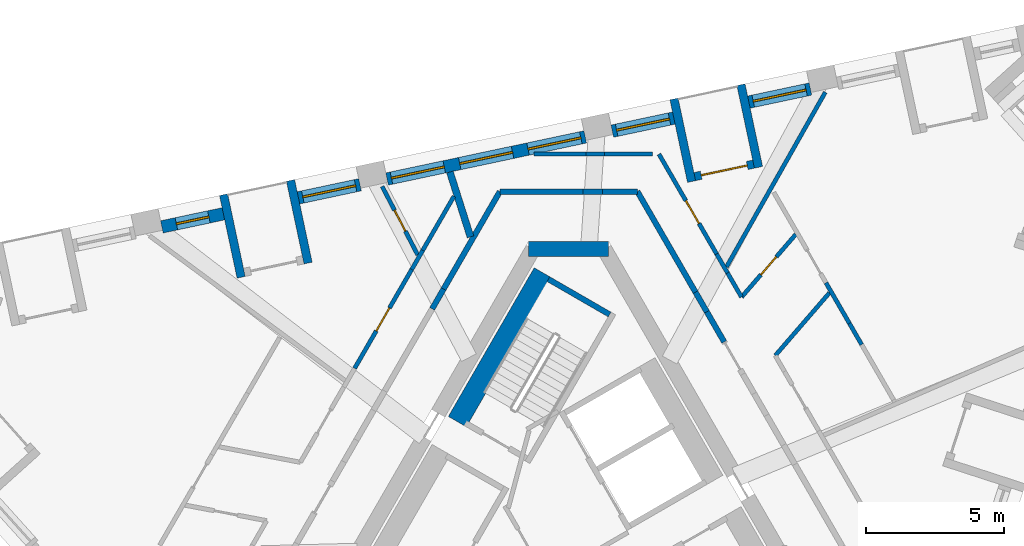
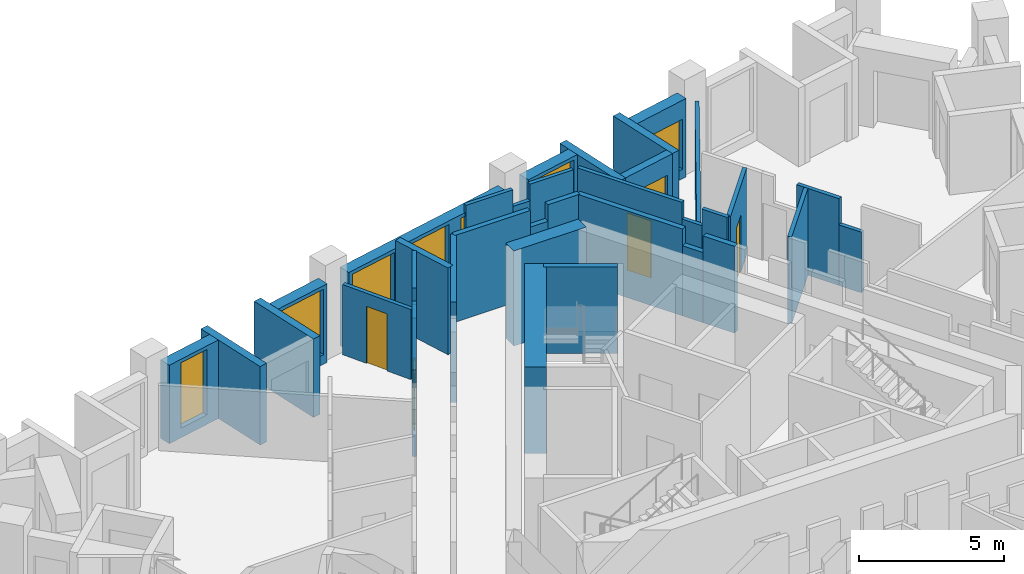
# One storey, part 7 of 12: 37 walls, 7 windows, 5 doors, 12 openings.
"""IFC4 building model written with IfcOpenShell, lengths in metres."""

import ifcopenshell
import ifcopenshell.guid

model = None  # the IFC model being written
_history = None  # IfcOwnerHistory: only IFC2X3 demands one
_inside = {}  # id of a spatial element -> (the spatial element, [elements in it])
_under = {}  # id of a project, library or spatial element -> (it, [spatial elements below it])
_declared = {}  # id of a project -> (the project, [libraries it declares])
_typed = {}  # id of a type object -> (the type object, [elements of that type])
_made_of = {}  # id of a material, layer set ... -> (it, [elements and type objects made of it])


def new_model(schema):
    """Start an empty IFC model of exactly this schema.

    Asked for "IFC4X3", IfcOpenShell would pick the latest addendum, in which some entities
    have other attributes; the version numbers below select the first issue.
    IFC2X3 requires an IfcOwnerHistory on every rooted entity: one is made here for all.
    """
    global model, _history
    if schema == "IFC4X3":
        model = ifcopenshell.file(schema_version=(4, 3, 0, 0))
    else:
        model = ifcopenshell.file(schema=schema)
    _inside.clear()
    _under.clear()
    _declared.clear()
    _typed.clear()
    _made_of.clear()
    _history = None
    if model.schema == "IFC2X3":
        org = make("IfcOrganization", Name="unknown")
        user = make(
            "IfcPersonAndOrganization",
            ThePerson=make("IfcPerson", FamilyName="unknown"),
            TheOrganization=org,
        )
        app = make(
            "IfcApplication",
            ApplicationDeveloper=org,
            Version="unknown",
            ApplicationFullName="unknown",
            ApplicationIdentifier="unknown",
        )
        _history = make(
            "IfcOwnerHistory",
            OwningUser=user,
            OwningApplication=app,
            ChangeAction="ADDED",
            CreationDate=0,
        )
    return model


def make(cls, **values):
    """One entity of the class cls with the attributes given. An attribute that is None is left unset."""
    return model.create_entity(
        cls, **{name: value for name, value in values.items() if value is not None}
    )


def rooted(cls, **values):
    """An entity with a GlobalId (a new one), such as an element, a storey or a relation."""
    return make(cls, GlobalId=ifcopenshell.guid.new(), OwnerHistory=_history, **values)


def si_unit(unit_type, name, prefix=None):
    """IfcSIUnit, for example si_unit("LENGTHUNIT", "METRE", prefix="MILLI")."""
    return make("IfcSIUnit", UnitType=unit_type, Prefix=prefix, Name=name)


def assignment(units):
    """IfcUnitAssignment: the units of a project."""
    return None if units is None else make("IfcUnitAssignment", Units=units)


def point(xyz):
    """IfcCartesianPoint."""
    return None if xyz is None else make("IfcCartesianPoint", Coordinates=xyz)


def direction(xyz):
    """IfcDirection."""
    return None if xyz is None else make("IfcDirection", DirectionRatios=xyz)


def frame(location, z_axis=None, x_axis=None):
    """IfcAxis2Placement3D, a coordinate frame: its origin and axes. An axis left out is left unset."""
    return make(
        "IfcAxis2Placement3D",
        Location=point(location),
        Axis=direction(z_axis),
        RefDirection=direction(x_axis),
    )


def frame_2d(location, x_axis=None):
    """IfcAxis2Placement2D, a coordinate frame in the plane: its origin and x axis."""
    return make(
        "IfcAxis2Placement2D", Location=point(location), RefDirection=direction(x_axis)
    )


def origin():
    """The frame at (0, 0, 0) with its axes left unset."""
    return frame((0.0, 0.0, 0.0))


def place(relative_to, where):
    """IfcLocalPlacement: puts the frame where relative to a parent placement (None: the world)."""
    return make(
        "IfcLocalPlacement", PlacementRelTo=relative_to, RelativePlacement=where
    )


def context(
    kind, dimensions, precision=None, world=None, true_north=None, identifier=None
):
    """IfcGeometricRepresentationContext, for example the 3D "Model" context."""
    return make(
        "IfcGeometricRepresentationContext",
        ContextIdentifier=identifier,
        ContextType=kind,
        CoordinateSpaceDimension=dimensions,
        Precision=precision,
        WorldCoordinateSystem=world,
        TrueNorth=true_north,
    )


def subcontext(parent, identifier, kind, view, scale=None):
    """IfcGeometricRepresentationSubContext, for example "Body" below "Model"."""
    return make(
        "IfcGeometricRepresentationSubContext",
        ContextIdentifier=identifier,
        ContextType=kind,
        ParentContext=parent,
        TargetScale=scale,
        TargetView=view,
    )


def project(units=None, contexts=None):
    """IfcProject with its units and contexts."""
    return rooted(
        "IfcProject",
        Name="project",
        RepresentationContexts=contexts,
        UnitsInContext=assignment(units),
    )


def spatial(cls, under=None, at=None, **own):
    """A site, building, storey or space (cls), placed at a placement, below another one or the project."""
    s = rooted(cls, ObjectPlacement=at, **own)
    if under is not None:
        _under.setdefault(under.id(), (under, []))[1].append(s)
    return s


def profile(cls, at=None, kind="AREA", **sizes):
    """A parametric profile (cls). Its sizes go by their IFC names, for example OverallWidth=200.0."""
    return make(cls, ProfileType=kind, Position=at, **sizes)


def rectangle(**sizes):
    """IfcRectangleProfileDef."""
    return profile("IfcRectangleProfileDef", **sizes)


def extrude(swept, where, along, depth):
    """IfcExtrudedAreaSolid: the profile swept, set in the frame where, extruded along a direction by depth."""
    return make(
        "IfcExtrudedAreaSolid",
        SweptArea=swept,
        Position=where,
        ExtrudedDirection=direction(along),
        Depth=depth,
    )


def shape(context_of_items, identifier, shape_type, items):
    """IfcShapeRepresentation: the items that make up one representation, for example the "Body"."""
    return make(
        "IfcShapeRepresentation",
        ContextOfItems=context_of_items,
        RepresentationIdentifier=identifier,
        RepresentationType=shape_type,
        Items=items,
    )


def material(Name=None, Category=None):
    """IfcMaterial."""
    return make("IfcMaterial", Name=Name, Category=Category)


def layer(
    of_material, thickness, ventilated=None, Name=None, Category=None, Priority=None
):
    """IfcMaterialLayer: one layer of a wall or slab, of a material (None: an air gap)."""
    return make(
        "IfcMaterialLayer",
        Material=of_material,
        LayerThickness=thickness,
        IsVentilated=ventilated,
        Name=Name,
        Category=Category,
        Priority=Priority,
    )


def layer_set(layers, Name=None):
    """IfcMaterialLayerSet."""
    return make("IfcMaterialLayerSet", MaterialLayers=layers, LayerSetName=Name)


def made_of(thing, what):
    """Note that an element or type object is made of a material, layer set ...; save() writes the relation."""
    if what is not None:
        _made_of.setdefault(what.id(), (what, []))[1].append(thing)
    return thing


def type_object(cls, material=None, **own):
    """A type object (cls), such as IfcWallType, which elements share."""
    return made_of(rooted(cls, **own), material)


def element(
    cls,
    number,
    at=None,
    inside=None,
    cuts=None,
    type_object=None,
    material=None,
    context=None,
    identifier="Body",
    shape_type=None,
    held_by="IfcProductDefinitionShape",
    body=None,
    shapes=None,
    **own,
):
    """One element of the class cls, such as IfcWall. Its Tag is "e" and its number.

    at: its placement. inside: the storey or other place that contains it. cuts: it is an
    opening in that element (IfcRelVoidsElement). A single representation is given by context,
    identifier, shape_type and body (its items); several are given by shapes. held_by: the class
    of the entity that holds the representations. save() writes the other relations.
    """
    e = rooted(cls, Tag="e%d" % number, ObjectPlacement=at, **own)
    if body is not None:
        shapes = [shape(context, identifier, shape_type, body)]
    if shapes is not None:
        e.Representation = make(held_by, Representations=shapes)
    if inside is not None:
        _inside.setdefault(inside.id(), (inside, []))[1].append(e)
    if cuts is not None:
        rooted(
            "IfcRelVoidsElement", RelatingBuildingElement=cuts, RelatedOpeningElement=e
        )
    if type_object is not None:
        _typed.setdefault(type_object.id(), (type_object, []))[1].append(e)
    return made_of(e, material)


def fill(opening, filler):
    """IfcRelFillsElement: the door or window that sits in an opening."""
    return rooted(
        "IfcRelFillsElement",
        RelatingOpeningElement=opening,
        RelatedBuildingElement=filler,
    )


def aggregate(whole, parts):
    """IfcRelAggregates: a whole, such as a stair, and the parts it consists of."""
    return rooted("IfcRelAggregates", RelatingObject=whole, RelatedObjects=parts)


def save(model, path):
    """Write the relations noted so far, then the file.

    IfcRelAggregates (storeys below a building ...), IfcRelContainedInSpatialStructure (elements
    in a storey), IfcRelDefinesByType, IfcRelAssociatesMaterial and IfcRelDeclares: one each for
    every whole, place, type object, material and project.
    """
    for whole, parts in _under.values():
        aggregate(whole, parts)
    for where, things in _inside.values():
        rooted(
            "IfcRelContainedInSpatialStructure",
            RelatedElements=things,
            RelatingStructure=where,
        )
    for kind, things in _typed.values():
        rooted("IfcRelDefinesByType", RelatedObjects=things, RelatingType=kind)
    for what, things in _made_of.values():
        rooted("IfcRelAssociatesMaterial", RelatedObjects=things, RelatingMaterial=what)
    for by, libraries in _declared.values():
        rooted("IfcRelDeclares", RelatingContext=by, RelatedDefinitions=libraries)
    model.write(path)


model = new_model("IFC4")

# Units and contexts
model_context = context("Model", 3, precision=1e-05, world=origin(), true_north=direction((0.0, 1.0)))
body_context = subcontext(model_context, "Body", "Model", "MODEL_VIEW")
ifc_project = project(units=[si_unit("LENGTHUNIT", "METRE"), si_unit("AREAUNIT", "SQUARE_METRE"), si_unit("VOLUMEUNIT", "CUBIC_METRE"), si_unit("PLANEANGLEUNIT", "RADIAN"), si_unit("MASSUNIT", "GRAM", prefix="KILO")], contexts=[model_context])

# Site, building, storey
site_placement = place(None, origin())
site = spatial("IfcSite", under=ifc_project, at=site_placement, CompositionType="ELEMENT")
building_placement = place(site_placement, origin())
building = spatial("IfcBuilding", under=site, at=building_placement, Name="Tramontana Tower", CompositionType="ELEMENT")
storey_placement = place(building_placement, frame((0.0, 0.0, 320.39990234375)))
storey = spatial("IfcBuildingStorey", under=building, at=storey_placement, Name="L73", CompositionType="ELEMENT", Elevation=320.39990234375)

# Walls
ifc_material_1 = material(Name="Concrete 70 MPa", Category="concrete")
ifc_layer_1 = layer(ifc_material_1, 0.550048828125)
ifc_layer_set_1 = layer_set([ifc_layer_1], Name="Core wall 550 70 MPa")
wall_type_1 = type_object("IfcWallType", Name="Core wall 550 70 MPa", PredefinedType="SHEAR", material=ifc_layer_set_1)
wall_1_placement = place(storey_placement, frame((1.443359375, 10.72509765625, 0.0), z_axis=(0.0, 0.0, 1.0), x_axis=(-1.0, 0.0, 0.0)))
element("IfcWall", 1, at=wall_1_placement, inside=storey, type_object=wall_type_1, Name="Core wall C0 L73", PredefinedType="SHEAR", context=body_context, shape_type="SweptSolid", body=[
    extrude(rectangle(XDim=2.88671875, YDim=0.550048828125, at=frame_2d((1.443359375, 0.0))), origin(), (0.0, 0.0, 1.0), 4.0),
])
ifc_material_2 = material(Name="Blockwork", Category="masonry")
ifc_layer_2 = layer(ifc_material_2, 0.199951171875)
ifc_layer_set_2 = layer_set([ifc_layer_2], Name="ENTRY WALL 200")
wall_type_2 = type_object("IfcWallType", Name="ENTRY WALL 200", PredefinedType="SOLIDWALL", material=ifc_layer_set_2)
wall_2_placement = place(storey_placement, frame((-4.9287109375, 8.563232421875, 0.0), z_axis=(0.0, 0.0, 1.0), x_axis=(0.500046299512, 0.865998671098, 0.0)))
element("IfcWall", 2, at=wall_2_placement, inside=storey, type_object=wall_type_2, Name="Wall v80-ew3-9", PredefinedType="SOLIDWALL", context=body_context, shape_type="SweptSolid", body=[
    extrude(rectangle(XDim=0.82666015625, YDim=0.199951171875, at=frame_2d((0.413330078125, 0.0))), origin(), (0.0, 0.0, 1.0), 2.9501953125),
])
wall_3_placement = place(storey_placement, frame((-4.515380859375, 9.279052734375, 0.0), z_axis=(0.0, 0.0, 1.0), x_axis=(0.499975428181, 0.866039589866, 0.0)))
element("IfcWall", 3, at=wall_3_placement, inside=storey, type_object=wall_type_2, Name="Wall v80-ew3-10", PredefinedType="SOLIDWALL", context=body_context, shape_type="SweptSolid", body=[
    extrude(rectangle(XDim=4.065673828125, YDim=0.199951171875, at=frame_2d((2.03271484375, 0.0))), origin(), (0.0, 0.0, 1.0), 3.650146484375),
])
wall_4_placement = place(storey_placement, frame((-2.482666015625, 12.800048828125, 0.0), z_axis=(0.0, 0.0, 1.0), x_axis=(1.0, 0.0, 0.0)))
element("IfcWall", 4, at=wall_4_placement, inside=storey, type_object=wall_type_2, Name="Wall v80-ew4-0", PredefinedType="SOLIDWALL", context=body_context, shape_type="SweptSolid", body=[
    extrude(rectangle(XDim=3.0029296875, YDim=0.199951171875, at=frame_2d((1.50146484375, 0.0))), origin(), (0.0, 0.0, 1.0), 3.650146484375),
])
wall_5_placement = place(storey_placement, frame((0.520263671875, 12.800048828125, 0.0), z_axis=(0.0, 0.0, 1.0), x_axis=(1.0, 0.0, 0.0)))
element("IfcWall", 5, at=wall_5_placement, inside=storey, type_object=wall_type_2, Name="Wall v80-ew4-1", PredefinedType="SOLIDWALL", context=body_context, shape_type="SweptSolid", body=[
    extrude(rectangle(XDim=0.701416015625, YDim=0.199951171875, at=frame_2d((0.3505859375, 0.0))), origin(), (0.0, 0.0, 1.0), 2.9501953125),
])
wall_6_placement = place(storey_placement, frame((1.2216796875, 12.800048828125, 0.0), z_axis=(0.0, 0.0, 1.0), x_axis=(1.0, 0.0, 0.0)))
element("IfcWall", 6, at=wall_6_placement, inside=storey, type_object=wall_type_2, Name="Wall v80-ew4-2", PredefinedType="SOLIDWALL", context=body_context, shape_type="SweptSolid", body=[
    extrude(rectangle(XDim=1.260986328125, YDim=0.199951171875, at=frame_2d((0.63037109375, 0.0))), origin(), (0.0, 0.0, 1.0), 3.650146484375),
])
wall_7_placement = place(storey_placement, frame((2.482666015625, 12.800048828125, 0.0), z_axis=(0.0, 0.0, 1.0), x_axis=(0.499982771656, -0.866035350345, 0.0)))
element("IfcWall", 7, at=wall_7_placement, inside=storey, type_object=wall_type_2, Name="Wall v80-ew5-0", PredefinedType="SOLIDWALL", context=body_context, shape_type="SweptSolid", body=[
    extrude(rectangle(XDim=4.194580078125, YDim=0.199951171875, at=frame_2d((2.09716796875, 0.0))), origin(), (0.0, 0.0, 1.0), 3.650146484375),
])
wall_8_placement = place(storey_placement, frame((4.579833984375, 9.16748046875, 0.0), z_axis=(0.0, 0.0, 1.0), x_axis=(0.499945576647, -0.866056822842, 0.0)))
element("IfcWall", 8, at=wall_8_placement, inside=storey, type_object=wall_type_2, Name="Wall v80-ew5-1", PredefinedType="SOLIDWALL", context=body_context, shape_type="SweptSolid", body=[
    extrude(rectangle(XDim=0.82080078125, YDim=0.199951171875, at=frame_2d((0.410400390625, 0.0))), origin(), (0.0, 0.0, 1.0), 2.9501953125),
])
wall_9_placement = place(storey_placement, frame((4.990234375, 8.45654296875, 0.0), z_axis=(0.0, 0.0, 1.0), x_axis=(0.500031220278, -0.866007377998, 0.0)))
element("IfcWall", 9, at=wall_9_placement, inside=storey, type_object=wall_type_2, Name="Wall v80-ew5-2", PredefinedType="SOLIDWALL", context=body_context, shape_type="SweptSolid", body=[
    extrude(rectangle(XDim=1.2548828125, YDim=0.199951171875, at=frame_2d((0.62744140625, 0.0))), origin(), (0.0, 0.0, 1.0), 3.650146484375),
])

# Wall, opening, window
ifc_material_3 = material(Name="Precast concrete 60 MPa", Category="concrete")
ifc_layer_3 = layer(ifc_material_3, 0.449951171875)
ifc_layer_set_3 = layer_set([ifc_layer_3], Name="Precast concrete 60 MPa, 450 mm")
wall_type_3 = type_object("IfcWallType", Name="EW1 Stone-faced precast wall 450", PredefinedType="SOLIDWALL", material=ifc_layer_set_3)
wall_10_placement = place(storey_placement, frame((8.73095703125, 16.500732421875, 0.0), z_axis=(0.0, 0.0, 1.0), x_axis=(-0.978153386925, -0.207884467067, 0.0)))
wall_10 = element("IfcWall", 10, at=wall_10_placement, inside=storey, type_object=wall_type_3, Name="External wall L73 face 2 bay 2", PredefinedType="SOLIDWALL", context=body_context, shape_type="SweptSolid", body=[
    extrude(rectangle(XDim=2.271240234375, YDim=0.449951171875, at=frame_2d((1.1357421875, 0.0))), origin(), (0.0, 0.0, 1.0), 3.300048828125),
])
opening_1_placement = place(wall_10_placement, frame((0.16064453125, 0.0, 0.39990234375)))
opening_1 = element("IfcOpeningElement", 11, at=opening_1_placement, cuts=wall_10, Name="Opening M3L", PredefinedType="OPENING", context=body_context, shape_type="SweptSolid", body=[
    extrude(rectangle(XDim=1.949951171875, YDim=2.10009765625, at=frame_2d((0.97509765625, 1.050048828125))), frame((0.0, 0.23486328125, 0.0), z_axis=(0.0, -1.0, 0.0), x_axis=(1.0, 0.0, 0.0)), (0.0, 0.0, 1.0), 0.469970703125),
])
ifc_material_4 = material(Name="Aluminum frame, double glazing unit", Category="aluminium")
window_type_1 = type_object("IfcWindowType", Name="M3L Window 1.95 x 2.1", PartitioningType="SINGLE_PANEL", PredefinedType="WINDOW", material=ifc_material_4)
window_1_placement = place(opening_1_placement, origin())
window_1 = element("IfcWindow", 12, at=window_1_placement, inside=storey, type_object=window_type_1, Name="Window M3L L73 face 2 module 4", OverallHeight=2.10009765625, OverallWidth=1.949951171875, PartitioningType="SINGLE_PANEL", PredefinedType="WINDOW", context=body_context, shape_type="SweptSolid", body=[
    extrude(rectangle(XDim=1.949951171875, YDim=2.10009765625, at=frame_2d((0.97509765625, 1.050048828125))), frame((0.0, 0.030029296875, 0.0), z_axis=(0.0, -1.0, 0.0), x_axis=(1.0, 0.0, 0.0)), (0.0, 0.0, 1.0), 0.06005859375),
])
fill(opening_1, window_1)

wall_11_placement = place(storey_placement, frame((3.798583984375, 15.452392578125, 0.0), z_axis=(0.0, 0.0, 1.0), x_axis=(-0.978153386925, -0.207884467067, 0.0)))
wall_11 = element("IfcWall", 13, at=wall_11_placement, inside=storey, type_object=wall_type_3, Name="External wall L73 face 2 bay 2", PredefinedType="SOLIDWALL", context=body_context, shape_type="SweptSolid", body=[
    extrude(rectangle(XDim=2.271240234375, YDim=0.449951171875, at=frame_2d((1.1357421875, 0.0))), origin(), (0.0, 0.0, 1.0), 3.300048828125),
])
opening_2_placement = place(wall_11_placement, frame((0.16064453125, 0.0, 0.39990234375)))
opening_2 = element("IfcOpeningElement", 14, at=opening_2_placement, cuts=wall_11, Name="Opening M3", PredefinedType="OPENING", context=body_context, shape_type="SweptSolid", body=[
    extrude(rectangle(XDim=1.949951171875, YDim=2.75, at=frame_2d((0.97509765625, 1.375))), frame((0.0, 0.23486328125, 0.0), z_axis=(0.0, -1.0, 0.0), x_axis=(1.0, 0.0, 0.0)), (0.0, 0.0, 1.0), 0.469970703125),
])
ifc_material_5 = material(Name="Aluminum frame, double glazing unit", Category="aluminium")
window_type_2 = type_object("IfcWindowType", Name="M3 Window 1.95 x 2.75", PartitioningType="SINGLE_PANEL", PredefinedType="WINDOW", material=ifc_material_5)
window_2_placement = place(opening_2_placement, origin())
window_2 = element("IfcWindow", 15, at=window_2_placement, inside=storey, type_object=window_type_2, Name="Window M3 L73 face 2 module 6", OverallHeight=2.75, OverallWidth=1.949951171875, PartitioningType="SINGLE_PANEL", PredefinedType="WINDOW", context=body_context, shape_type="SweptSolid", body=[
    extrude(rectangle(XDim=1.949951171875, YDim=2.75, at=frame_2d((0.97509765625, 1.375))), frame((0.0, 0.030029296875, 0.0), z_axis=(0.0, -1.0, 0.0), x_axis=(1.0, 0.0, 0.0)), (0.0, 0.0, 1.0), 0.06005859375),
])
fill(opening_2, window_2)

# Wall, openings, windows
wall_12_placement = place(storey_placement, frame((0.5986328125, 14.772216796875, 0.0), z_axis=(0.0, 0.0, 1.0), x_axis=(-0.978151299843, -0.207894287118, 0.0)))
wall_12 = element("IfcWall", 16, at=wall_12_placement, inside=storey, type_object=wall_type_3, Name="External wall L73 face 2 bay 3", PredefinedType="SOLIDWALL", context=body_context, shape_type="SweptSolid", body=[
    extrude(rectangle(XDim=7.31396484375, YDim=0.449951171875, at=frame_2d((3.656982421875, 0.0))), origin(), (0.0, 0.0, 1.0), 3.300048828125),
])
opening_3_placement = place(wall_12_placement, frame((0.16064453125, 0.0, 0.39990234375)))
opening_3 = element("IfcOpeningElement", 17, at=opening_3_placement, cuts=wall_12, Name="Opening M3", PredefinedType="OPENING", context=body_context, shape_type="SweptSolid", body=[
    extrude(rectangle(XDim=1.949951171875, YDim=2.75, at=frame_2d((0.97509765625, 1.375))), frame((0.0, 0.23486328125, 0.0), z_axis=(0.0, -1.0, 0.0), x_axis=(1.0, 0.0, 0.0)), (0.0, 0.0, 1.0), 0.469970703125),
])
opening_4_placement = place(wall_12_placement, frame((2.681884765625, 0.0, 0.39990234375)))
opening_4 = element("IfcOpeningElement", 18, at=opening_4_placement, cuts=wall_12, Name="Opening M3", PredefinedType="OPENING", context=body_context, shape_type="SweptSolid", body=[
    extrude(rectangle(XDim=1.949951171875, YDim=2.75, at=frame_2d((0.97509765625, 1.375))), frame((0.0, 0.23486328125, 0.0), z_axis=(0.0, -1.0, 0.0), x_axis=(1.0, 0.0, 0.0)), (0.0, 0.0, 1.0), 0.469970703125),
])
opening_5_placement = place(wall_12_placement, frame((5.203125, 0.0, 0.39990234375)))
opening_5 = element("IfcOpeningElement", 19, at=opening_5_placement, cuts=wall_12, Name="Opening M3", PredefinedType="OPENING", context=body_context, shape_type="SweptSolid", body=[
    extrude(rectangle(XDim=1.949951171875, YDim=2.75, at=frame_2d((0.97509765625, 1.375))), frame((0.0, 0.23486328125, 0.0), z_axis=(0.0, -1.0, 0.0), x_axis=(1.0, 0.0, 0.0)), (0.0, 0.0, 1.0), 0.469970703125),
])
window_3_placement = place(opening_3_placement, origin())
window_3 = element("IfcWindow", 20, at=window_3_placement, inside=storey, type_object=window_type_2, Name="Window M3 L73 face 2 module 7", OverallHeight=2.75, OverallWidth=1.949951171875, PartitioningType="SINGLE_PANEL", PredefinedType="WINDOW", context=body_context, shape_type="SweptSolid", body=[
    extrude(rectangle(XDim=1.949951171875, YDim=2.75, at=frame_2d((0.97509765625, 1.375))), frame((0.0, 0.030029296875, 0.0), z_axis=(0.0, -1.0, 0.0), x_axis=(1.0, 0.0, 0.0)), (0.0, 0.0, 1.0), 0.06005859375),
])
fill(opening_3, window_3)
window_4_placement = place(opening_4_placement, origin())
window_4 = element("IfcWindow", 21, at=window_4_placement, inside=storey, type_object=window_type_2, Name="Window M3 L73 face 2 module 8", OverallHeight=2.75, OverallWidth=1.949951171875, PartitioningType="SINGLE_PANEL", PredefinedType="WINDOW", context=body_context, shape_type="SweptSolid", body=[
    extrude(rectangle(XDim=1.949951171875, YDim=2.75, at=frame_2d((0.97509765625, 1.375))), frame((0.0, 0.030029296875, 0.0), z_axis=(0.0, -1.0, 0.0), x_axis=(1.0, 0.0, 0.0)), (0.0, 0.0, 1.0), 0.06005859375),
])
fill(opening_4, window_4)
window_5_placement = place(opening_5_placement, origin())
window_5 = element("IfcWindow", 22, at=window_5_placement, inside=storey, type_object=window_type_2, Name="Window M3 L73 face 2 module 9", OverallHeight=2.75, OverallWidth=1.949951171875, PartitioningType="SINGLE_PANEL", PredefinedType="WINDOW", context=body_context, shape_type="SweptSolid", body=[
    extrude(rectangle(XDim=1.949951171875, YDim=2.75, at=frame_2d((0.97509765625, 1.375))), frame((0.0, 0.030029296875, 0.0), z_axis=(0.0, -1.0, 0.0), x_axis=(1.0, 0.0, 0.0)), (0.0, 0.0, 1.0), 0.06005859375),
])
fill(opening_5, window_5)

# Wall, opening, window
wall_13_placement = place(storey_placement, frame((-7.533447265625, 13.043701171875, 0.0), z_axis=(0.0, 0.0, 1.0), x_axis=(-0.978153386925, -0.207884467067, 0.0)))
wall_13 = element("IfcWall", 23, at=wall_13_placement, inside=storey, type_object=wall_type_3, Name="External wall L73 face 2 bay 4", PredefinedType="SOLIDWALL", context=body_context, shape_type="SweptSolid", body=[
    extrude(rectangle(XDim=2.271240234375, YDim=0.449951171875, at=frame_2d((1.1357421875, 0.0))), origin(), (0.0, 0.0, 1.0), 3.300048828125),
])
opening_6_placement = place(wall_13_placement, frame((0.16064453125, 0.0, 0.39990234375)))
opening_6 = element("IfcOpeningElement", 24, at=opening_6_placement, cuts=wall_13, Name="Opening M3", PredefinedType="OPENING", context=body_context, shape_type="SweptSolid", body=[
    extrude(rectangle(XDim=1.949951171875, YDim=2.75, at=frame_2d((0.97509765625, 1.375))), frame((0.0, 0.23486328125, 0.0), z_axis=(0.0, -1.0, 0.0), x_axis=(1.0, 0.0, 0.0)), (0.0, 0.0, 1.0), 0.469970703125),
])
window_6_placement = place(opening_6_placement, origin())
window_6 = element("IfcWindow", 25, at=window_6_placement, inside=storey, type_object=window_type_2, Name="Window M3 L73 face 2 module 10", OverallHeight=2.75, OverallWidth=1.949951171875, PartitioningType="SINGLE_PANEL", PredefinedType="WINDOW", context=body_context, shape_type="SweptSolid", body=[
    extrude(rectangle(XDim=1.949951171875, YDim=2.75, at=frame_2d((0.97509765625, 1.375))), frame((0.0, 0.030029296875, 0.0), z_axis=(0.0, -1.0, 0.0), x_axis=(1.0, 0.0, 0.0)), (0.0, 0.0, 1.0), 0.06005859375),
])
fill(opening_6, window_6)

wall_14_placement = place(storey_placement, frame((-12.4658203125, 11.995361328125, 0.0), z_axis=(0.0, 0.0, 1.0), x_axis=(-0.978153386925, -0.207884467067, 0.0)))
wall_14 = element("IfcWall", 26, at=wall_14_placement, inside=storey, type_object=wall_type_3, Name="External wall L73 face 2 bay 4", PredefinedType="SOLIDWALL", context=body_context, shape_type="SweptSolid", body=[
    extrude(rectangle(XDim=2.271240234375, YDim=0.449951171875, at=frame_2d((1.1357421875, 0.0))), origin(), (0.0, 0.0, 1.0), 3.300048828125),
])
opening_7_placement = place(wall_14_placement, frame((0.53564453125, 0.0, 0.39990234375)))
opening_7 = element("IfcOpeningElement", 27, at=opening_7_placement, cuts=wall_14, Name="Opening N3", PredefinedType="OPENING", context=body_context, shape_type="SweptSolid", body=[
    extrude(rectangle(XDim=1.199951171875, YDim=2.75, at=frame_2d((0.60009765625, 1.375))), frame((0.0, 0.23486328125, 0.0), z_axis=(0.0, -1.0, 0.0), x_axis=(1.0, 0.0, 0.0)), (0.0, 0.0, 1.0), 0.469970703125),
])
ifc_material_6 = material(Name="Aluminum frame, double glazing unit", Category="aluminium")
window_type_3 = type_object("IfcWindowType", Name="N3 Window 1.2 x 2.75", PartitioningType="SINGLE_PANEL", PredefinedType="WINDOW", material=ifc_material_6)
window_7_placement = place(opening_7_placement, origin())
window_7 = element("IfcWindow", 28, at=window_7_placement, inside=storey, type_object=window_type_3, Name="Window N3 L73 face 2 module 12", OverallHeight=2.75, OverallWidth=1.199951171875, PartitioningType="SINGLE_PANEL", PredefinedType="WINDOW", context=body_context, shape_type="SweptSolid", body=[
    extrude(rectangle(XDim=1.199951171875, YDim=2.75, at=frame_2d((0.60009765625, 1.375))), frame((0.0, 0.030029296875, 0.0), z_axis=(0.0, -1.0, 0.0), x_axis=(1.0, 0.0, 0.0)), (0.0, 0.0, 1.0), 0.06005859375),
])
fill(opening_7, window_7)

# Wall, opening, door
ifc_material_7 = material(Name="Precast concrete 60 MPa", Category="concrete")
ifc_layer_4 = layer(ifc_material_7, 0.300048828125)
ifc_layer_set_4 = layer_set([ifc_layer_4], Name="LW1 Stone-faced loggia wall 300")
wall_type_4 = type_object("IfcWallType", Name="LW1 Stone-faced loggia wall 300", PredefinedType="SOLIDWALL", material=ifc_layer_set_4)
wall_15_placement = place(storey_placement, frame((6.678466796875, 13.789794921875, 0.0), z_axis=(0.0, 0.0, 1.0), x_axis=(-0.978153135692, -0.207885649183, 0.0)))
wall_15 = element("IfcWall", 29, at=wall_15_placement, inside=storey, type_object=wall_type_4, Name="Loggia wall L73 G8S2.4", PredefinedType="SOLIDWALL", context=body_context, shape_type="SweptSolid", body=[
    extrude(rectangle(XDim=2.17138671875, YDim=0.300048828125, at=frame_2d((1.085693359375, 0.0))), origin(), (0.0, 0.0, 1.0), 3.300048828125),
])
opening_8_placement = place(wall_15_placement, frame((0.235595703125, 0.0, 0.0)))
opening_8 = element("IfcOpeningElement", 30, at=opening_8_placement, cuts=wall_15, Name="Opening BD-8S2-04", PredefinedType="OPENING", context=body_context, shape_type="SweptSolid", body=[
    extrude(rectangle(XDim=1.699951171875, YDim=2.5, at=frame_2d((0.85009765625, 1.25))), frame((0.0, 0.159912109375, 0.0), z_axis=(0.0, -1.0, 0.0), x_axis=(1.0, 0.0, 0.0)), (0.0, 0.0, 1.0), 0.320068359375),
])
ifc_material_8 = material(Name="Aluminum frame, double glazing unit", Category="aluminium")
door_type_1 = type_object("IfcDoorType", Name="BD3 Sliding door 1.7 x 2.5", OperationType="SLIDING_TO_LEFT", PredefinedType="DOOR", material=ifc_material_8)
door_1_placement = place(opening_8_placement, origin())
door_1 = element("IfcDoor", 31, at=door_1_placement, inside=storey, type_object=door_type_1, Name="Loggia door L73 G8S2.4", OperationType="SLIDING_TO_LEFT", OverallHeight=2.5, OverallWidth=1.699951171875, PredefinedType="DOOR", context=body_context, shape_type="SweptSolid", body=[
    extrude(rectangle(XDim=1.699951171875, YDim=2.5, at=frame_2d((0.85009765625, 1.25))), frame((0.0, 0.02490234375, 0.0), z_axis=(0.0, -1.0, 0.0), x_axis=(1.0, 0.0, 0.0)), (0.0, 0.0, 1.0), 0.050048828125),
])
fill(opening_8, door_1)

# Walls
for number, where, z_axis, x_axis, name in (
    (32, (6.22216796875, 16.65771484375, 0.0), (0.0, 0.0, 1.0), (0.207877902534, -0.978154782045, 0.0), "Loggia return L73 G8S2.4a"),
    (33, (3.804931640625, 16.143798828125, 0.0), (0.0, 0.0, 1.0), (0.207877902534, -0.978154782045, 0.0), "Loggia return L73 G8S2.4b"),
    (34, (-10.042236328125, 13.20068359375, 0.0), (0.0, 0.0, 1.0), (0.207954487003, -0.978138503145, 0.0), "Loggia return L73 G8S2.10a"),
    (35, (-12.45947265625, 12.686767578125, 0.0), (0.0, 0.0, 1.0), (0.207877902534, -0.978154782045, 0.0), "Loggia return L73 G8S2.10b"),
):
    element("IfcWall", number, at=place(storey_placement, frame(where, z_axis=z_axis, x_axis=x_axis)), inside=storey, type_object=wall_type_4, Name=name, PredefinedType="SOLIDWALL", context=body_context, shape_type="SweptSolid", body=[
        extrude(rectangle(XDim=3.050048828125, YDim=0.300048828125, at=frame_2d((1.52490234375, 0.0))), origin(), (0.0, 0.0, 1.0), 3.300048828125),
    ])

# Wall, opening, door
ifc_material_9 = material(Name="Gypsum board partition")
ifc_layer_5 = layer(ifc_material_9, 0.14990234375)
ifc_layer_set_5 = layer_set([ifc_layer_5], Name="PARTITION 150")
wall_type_5 = type_object("IfcWallType", Name="PARTITION 150", PredefinedType="PARTITIONING", material=ifc_layer_set_5)
wall_16_placement = place(storey_placement, frame((-7.726806640625, 6.416748046875, 0.0), z_axis=(0.0, 0.0, 1.0), x_axis=(0.50002680699, 0.866009926209, 0.0)))
wall_16 = element("IfcWall", 36, at=wall_16_placement, inside=storey, type_object=wall_type_5, Name="Wall v80-pw08-4", PredefinedType="PARTITIONING", context=body_context, shape_type="SweptSolid", body=[
    extrude(rectangle(XDim=4.119873046875, YDim=0.14990234375, at=frame_2d((2.06005859375, 0.0))), origin(), (0.0, 0.0, 1.0), 3.650146484375),
])
opening_9_placement = place(wall_16_placement, frame((1.56103515625, 0.0, 0.0)))
opening_9 = element("IfcOpeningElement", 37, at=opening_9_placement, cuts=wall_16, Name="Opening B8A-04", PredefinedType="OPENING", context=body_context, shape_type="SweptSolid", body=[
    extrude(rectangle(XDim=0.949951171875, YDim=2.39990234375, at=frame_2d((0.47509765625, 1.199951171875))), frame((0.0, 0.0849609375, 0.0), z_axis=(0.0, -1.0, 0.0), x_axis=(1.0, 0.0, 0.0)), (0.0, 0.0, 1.0), 0.169921875),
])
ifc_material_10 = material(Name="Painted timber", Category="wood")
door_type_2 = type_object("IfcDoorType", Name="DOOR ROOM 950", OperationType="SINGLE_SWING_LEFT", PredefinedType="DOOR", material=ifc_material_10)
door_2_placement = place(opening_9_placement, origin())
door_2 = element("IfcDoor", 38, at=door_2_placement, inside=storey, type_object=door_type_2, Name="Door B8A-04", OperationType="SINGLE_SWING_RIGHT", OverallHeight=2.39990234375, OverallWidth=0.949951171875, PredefinedType="DOOR", context=body_context, shape_type="SweptSolid", body=[
    extrude(rectangle(XDim=0.949951171875, YDim=2.39990234375, at=frame_2d((0.47509765625, 1.199951171875))), frame((0.0, 0.02490234375, 0.0), z_axis=(0.0, -1.0, 0.0), x_axis=(1.0, 0.0, 0.0)), (0.0, 0.0, 1.0), 0.050048828125),
])
fill(opening_9, door_2)

# Walls
wall_17_placement = place(storey_placement, frame((-5.666748046875, 9.984619140625, 0.0), z_axis=(0.0, 0.0, 1.0), x_axis=(0.499961121316, 0.86604784924, 0.0)))
element("IfcWall", 39, at=wall_17_placement, inside=storey, type_object=wall_type_5, Name="Wall v80-pw08-5", PredefinedType="PARTITIONING", context=body_context, shape_type="SweptSolid", body=[
    extrude(rectangle(XDim=0.796875, YDim=0.14990234375, at=frame_2d((0.3984375, 0.0))), origin(), (0.0, 0.0, 1.0), 2.9501953125),
])
wall_18_placement = place(storey_placement, frame((-5.268310546875, 10.6748046875, 0.0), z_axis=(0.0, 0.0, 1.0), x_axis=(0.499956642393, 0.866050434864, 0.0)))
element("IfcWall", 40, at=wall_18_placement, inside=storey, type_object=wall_type_5, Name="Wall v80-pw08-6", PredefinedType="PARTITIONING", context=body_context, shape_type="SweptSolid", body=[
    extrude(rectangle(XDim=2.256103515625, YDim=0.14990234375, at=frame_2d((1.1279296875, 0.0))), origin(), (0.0, 0.0, 1.0), 3.650146484375),
])

# Wall, opening, door
wall_19_placement = place(storey_placement, frame((-6.732177734375, 12.984130859375, 0.0), z_axis=(0.0, 0.0, 1.0), x_axis=(0.460309491074, -0.887758510197, 0.0)))
wall_19 = element("IfcWall", 41, at=wall_19_placement, inside=storey, type_object=wall_type_5, Name="Wall v80-pw11-0", PredefinedType="PARTITIONING", context=body_context, shape_type="SweptSolid", body=[
    extrude(rectangle(XDim=2.7861328125, YDim=0.14990234375, at=frame_2d((1.39306640625, 0.0))), origin(), (0.0, 0.0, 1.0), 2.9501953125),
])
opening_10_placement = place(wall_19_placement, frame((0.968017578125, 0.0, 0.0)))
opening_10 = element("IfcOpeningElement", 42, at=opening_10_placement, cuts=wall_19, Name="Opening B8A-06", PredefinedType="OPENING", context=body_context, shape_type="SweptSolid", body=[
    extrude(rectangle(XDim=0.85009765625, YDim=2.39990234375, at=frame_2d((0.425048828125, 1.199951171875))), frame((0.0, 0.0849609375, 0.0), z_axis=(0.0, -1.0, 0.0), x_axis=(1.0, 0.0, 0.0)), (0.0, 0.0, 1.0), 0.169921875),
])
ifc_material_11 = material(Name="Painted timber", Category="wood")
door_type_3 = type_object("IfcDoorType", Name="DOOR BATH 850", OperationType="SINGLE_SWING_LEFT", PredefinedType="DOOR", material=ifc_material_11)
door_3_placement = place(opening_10_placement, origin())
door_3 = element("IfcDoor", 43, at=door_3_placement, inside=storey, type_object=door_type_3, Name="Door B8A-06", OperationType="SINGLE_SWING_RIGHT", OverallHeight=2.39990234375, OverallWidth=0.85009765625, PredefinedType="DOOR", context=body_context, shape_type="SweptSolid", body=[
    extrude(rectangle(XDim=0.85009765625, YDim=2.39990234375, at=frame_2d((0.425048828125, 1.199951171875))), frame((0.0, 0.02490234375, 0.0), z_axis=(0.0, -1.0, 0.0), x_axis=(1.0, 0.0, 0.0)), (0.0, 0.0, 1.0), 0.050048828125),
])
fill(opening_10, door_3)

# Walls
wall_20_placement = place(storey_placement, frame((-1.24658203125, 14.14990234375, 0.0), z_axis=(0.0, 0.0, 1.0), x_axis=(1.0, 0.0, 0.0)))
element("IfcWall", 44, at=wall_20_placement, inside=storey, type_object=wall_type_5, Name="Wall v80-pw15-0", PredefinedType="PARTITIONING", context=body_context, shape_type="SweptSolid", body=[
    extrude(rectangle(XDim=1.87109375, YDim=0.14990234375, at=frame_2d((0.935546875, 0.0))), origin(), (0.0, 0.0, 1.0), 3.650146484375),
])
wall_21_placement = place(storey_placement, frame((0.62451171875, 14.14990234375, 0.0), z_axis=(0.0, 0.0, 1.0), x_axis=(1.0, 0.0, 0.0)))
element("IfcWall", 45, at=wall_21_placement, inside=storey, type_object=wall_type_5, Name="Wall v80-pw15-1", PredefinedType="PARTITIONING", context=body_context, shape_type="SweptSolid", body=[
    extrude(rectangle(XDim=0.676513671875, YDim=0.14990234375, at=frame_2d((0.33837890625, 0.0))), origin(), (0.0, 0.0, 1.0), 2.9501953125),
])
wall_22_placement = place(storey_placement, frame((1.301025390625, 14.14990234375, 0.0), z_axis=(0.0, 0.0, 1.0), x_axis=(1.0, 0.0, 0.0)))
element("IfcWall", 46, at=wall_22_placement, inside=storey, type_object=wall_type_5, Name="Wall v80-pw15-2", PredefinedType="PARTITIONING", context=body_context, shape_type="SweptSolid", body=[
    extrude(rectangle(XDim=1.724365234375, YDim=0.14990234375, at=frame_2d((0.8623046875, 0.0))), origin(), (0.0, 0.0, 1.0), 3.650146484375),
])

# Wall, opening, door
wall_23_placement = place(storey_placement, frame((3.261962890625, 14.14990234375, 0.0), z_axis=(0.0, 0.0, 1.0), x_axis=(0.500032238466, -0.866006790097, 0.0)))
wall_23 = element("IfcWall", 47, at=wall_23_placement, inside=storey, type_object=wall_type_5, Name="Wall v80-pw18-0", PredefinedType="PARTITIONING", context=body_context, shape_type="SweptSolid", body=[
    extrude(rectangle(XDim=4.161376953125, YDim=0.14990234375, at=frame_2d((2.08056640625, 0.0))), origin(), (0.0, 0.0, 1.0), 3.650146484375),
])
opening_11_placement = place(wall_23_placement, frame((1.94140625, 0.0, 0.0)))
opening_11 = element("IfcOpeningElement", 48, at=opening_11_placement, cuts=wall_23, Name="Opening B8A-17", PredefinedType="OPENING", context=body_context, shape_type="SweptSolid", body=[
    extrude(rectangle(XDim=0.949951171875, YDim=2.39990234375, at=frame_2d((0.47509765625, 1.199951171875))), frame((0.0, 0.0849609375, 0.0), z_axis=(0.0, -1.0, 0.0), x_axis=(1.0, 0.0, 0.0)), (0.0, 0.0, 1.0), 0.169921875),
])
door_4_placement = place(opening_11_placement, origin())
door_4 = element("IfcDoor", 49, at=door_4_placement, inside=storey, type_object=door_type_2, Name="Door B8A-17", OperationType="SINGLE_SWING_LEFT", OverallHeight=2.39990234375, OverallWidth=0.949951171875, PredefinedType="DOOR", context=body_context, shape_type="SweptSolid", body=[
    extrude(rectangle(XDim=0.949951171875, YDim=2.39990234375, at=frame_2d((0.47509765625, 1.199951171875))), frame((0.0, 0.02490234375, 0.0), z_axis=(0.0, -1.0, 0.0), x_axis=(1.0, 0.0, 0.0)), (0.0, 0.0, 1.0), 0.050048828125),
])
fill(opening_11, door_4)

# Walls
wall_24_placement = place(storey_placement, frame((5.3427734375, 10.546142578125, 0.0), z_axis=(0.0, 0.0, 1.0), x_axis=(0.499953838557, -0.866052053466, 0.0)))
element("IfcWall", 50, at=wall_24_placement, inside=storey, type_object=wall_type_5, Name="Wall v80-pw18-1", PredefinedType="PARTITIONING", context=body_context, shape_type="SweptSolid", body=[
    extrude(rectangle(XDim=0.79150390625, YDim=0.14990234375, at=frame_2d((0.395751953125, 0.0))), origin(), (0.0, 0.0, 1.0), 2.9501953125),
])
wall_25_placement = place(storey_placement, frame((5.738525390625, 9.860595703125, 0.0), z_axis=(0.0, 0.0, 1.0), x_axis=(0.500030770168, -0.866007637891, 0.0)))
element("IfcWall", 51, at=wall_25_placement, inside=storey, type_object=wall_type_5, Name="Wall v80-pw18-2", PredefinedType="PARTITIONING", context=body_context, shape_type="SweptSolid", body=[
    extrude(rectangle(XDim=1.00537109375, YDim=0.14990234375, at=frame_2d((0.502685546875, 0.0))), origin(), (0.0, 0.0, 1.0), 3.650146484375),
])
wall_26_placement = place(storey_placement, frame((5.69970703125, 10.077880859375, 0.0), z_axis=(0.0, 0.0, 1.0), x_axis=(0.492280407927, 0.870436672005, 0.0)))
element("IfcWall", 52, at=wall_26_placement, inside=storey, type_object=wall_type_5, Name="Wall v80-pw20-0", PredefinedType="PARTITIONING", context=body_context, shape_type="SweptSolid", body=[
    extrude(rectangle(XDim=7.24560546875, YDim=0.14990234375, at=frame_2d((3.622802734375, 0.0))), origin(), (0.0, 0.0, 1.0), 2.9501953125),
])

# Wall, opening, door
wall_27_placement = place(storey_placement, frame((6.245849609375, 8.98974609375, 0.0), z_axis=(0.0, 0.0, 1.0), x_axis=(0.653775215384, 0.756688818306, 0.0)))
wall_27 = element("IfcWall", 53, at=wall_27_placement, inside=storey, type_object=wall_type_5, Name="Wall v80-pw22", PredefinedType="PARTITIONING", context=body_context, shape_type="SweptSolid", body=[
    extrude(rectangle(XDim=2.98681640625, YDim=0.14990234375, at=frame_2d((1.493408203125, 0.0))), origin(), (0.0, 0.0, 1.0), 3.650146484375),
])
opening_12_placement = place(wall_27_placement, frame((1.068359375, 0.0, 0.0)))
opening_12 = element("IfcOpeningElement", 54, at=opening_12_placement, cuts=wall_27, Name="Opening B8A-14", PredefinedType="OPENING", context=body_context, shape_type="SweptSolid", body=[
    extrude(rectangle(XDim=0.85009765625, YDim=2.39990234375, at=frame_2d((0.425048828125, 1.199951171875))), frame((0.0, 0.0849609375, 0.0), z_axis=(0.0, -1.0, 0.0), x_axis=(1.0, 0.0, 0.0)), (0.0, 0.0, 1.0), 0.169921875),
])
door_5_placement = place(opening_12_placement, origin())
door_5 = element("IfcDoor", 55, at=door_5_placement, inside=storey, type_object=door_type_3, Name="Door B8A-14", OperationType="SINGLE_SWING_RIGHT", OverallHeight=2.39990234375, OverallWidth=0.85009765625, PredefinedType="DOOR", context=body_context, shape_type="SweptSolid", body=[
    extrude(rectangle(XDim=0.85009765625, YDim=2.39990234375, at=frame_2d((0.425048828125, 1.199951171875))), frame((0.0, 0.02490234375, 0.0), z_axis=(0.0, -1.0, 0.0), x_axis=(1.0, 0.0, 0.0)), (0.0, 0.0, 1.0), 0.050048828125),
])
fill(opening_12, door_5)

# Walls
wall_28_placement = place(storey_placement, frame((9.292724609375, 9.50439453125, 0.0), z_axis=(0.0, 0.0, 1.0), x_axis=(0.500046963369, -0.865998287773, 0.0)))
element("IfcWall", 56, at=wall_28_placement, inside=storey, type_object=wall_type_5, Name="Wall v80-pw24-2", PredefinedType="PARTITIONING", context=body_context, shape_type="SweptSolid", body=[
    extrude(rectangle(XDim=1.693115234375, YDim=0.14990234375, at=frame_2d((0.8466796875, 0.0))), origin(), (0.0, 0.0, 1.0), 3.650146484375),
])
wall_29_placement = place(storey_placement, frame((10.139404296875, 8.0380859375, 0.0), z_axis=(0.0, 0.0, 1.0), x_axis=(0.499866452165, -0.866102493935, 0.0)))
element("IfcWall", 57, at=wall_29_placement, inside=storey, type_object=wall_type_5, Name="Wall v80-pw24-3", PredefinedType="PARTITIONING", context=body_context, shape_type="SweptSolid", body=[
    extrude(rectangle(XDim=0.880615234375, YDim=0.14990234375, at=frame_2d((0.4404296875, 0.0))), origin(), (0.0, 0.0, 1.0), 2.550048828125),
])
wall_30_placement = place(storey_placement, frame((9.416015625, 9.140869140625, 0.0), z_axis=(0.0, 0.0, 1.0), x_axis=(-0.653726199584, -0.756731164931, 0.0)))
element("IfcWall", 58, at=wall_30_placement, inside=storey, type_object=wall_type_5, Name="Wall v80-pw26", PredefinedType="PARTITIONING", context=body_context, shape_type="SweptSolid", body=[
    extrude(rectangle(XDim=2.98876953125, YDim=0.14990234375, at=frame_2d((1.494384765625, 0.0))), origin(), (0.0, 0.0, 1.0), 3.650146484375),
])
ifc_material_12 = material(Name="Blockwork", Category="masonry")
ifc_layer_6 = layer(ifc_material_12, 0.25)
ifc_layer_set_6 = layer_set([ifc_layer_6], Name="PARTY WALL 250")
wall_type_6 = type_object("IfcWallType", Name="PARTY WALL 250", PredefinedType="SOLIDWALL", material=ifc_layer_set_6)
wall_31_placement = place(storey_placement, frame((-4.286865234375, 13.50390625, 0.0), z_axis=(0.0, 0.0, 1.0), x_axis=(0.302510346388, -0.95314610125, 0.0)))
element("IfcWall", 59, at=wall_31_placement, inside=storey, type_object=wall_type_6, Name="Wall v80-pw12", PredefinedType="SOLIDWALL", context=body_context, shape_type="SweptSolid", body=[
    extrude(rectangle(XDim=2.45654296875, YDim=0.25, at=frame_2d((1.228271484375, 0.0))), origin(), (0.0, 0.0, 1.0), 3.650146484375),
])
ifc_material_13 = material(Name="Concrete 70 MPa", Category="concrete")
ifc_layer_7 = layer(ifc_material_13, 0.75)
ifc_layer_set_7 = layer_set([ifc_layer_7], Name="Concrete 70 MPa, 750 mm")
wall_type_7 = type_object("IfcWallType", Name="RC SHAFT BACK WALL 750", PredefinedType="SOLIDWALL", material=ifc_layer_set_7)
wall_32_placement = place(storey_placement, frame((-0.91796875, 9.85986328125, 0.0), z_axis=(0.0, 0.0, 1.0), x_axis=(-0.500026960575, -0.86600983753, 0.0)))
element("IfcWall", 60, at=wall_32_placement, inside=storey, type_object=wall_type_7, Name="Wall st1-back", PredefinedType="SOLIDWALL", context=body_context, shape_type="SweptSolid", body=[
    extrude(rectangle(XDim=6.199951171875, YDim=0.75, at=frame_2d((3.10009765625, 0.0))), origin(), (0.0, 0.0, 1.0), 3.650146484375),
])
ifc_material_14 = material(Name="Concrete 70 MPa", Category="concrete")
ifc_layer_8 = layer(ifc_material_14, 0.199951171875)
ifc_layer_set_8 = layer_set([ifc_layer_8], Name="Concrete 70 MPa, 200 mm")
wall_type_8 = type_object("IfcWallType", Name="RC STAIR AND SHAFT WALL 200", PredefinedType="SOLIDWALL", material=ifc_layer_set_8)
wall_33_placement = place(storey_placement, frame((1.478515625, 8.36083984375, 0.0), z_axis=(0.0, 0.0, 1.0), x_axis=(-0.865989465428, 0.500062241894, 0.0)))
element("IfcWall", 61, at=wall_33_placement, inside=storey, type_object=wall_type_8, Name="Wall st1-far", PredefinedType="SOLIDWALL", context=body_context, shape_type="SweptSolid", body=[
    extrude(rectangle(XDim=2.550048828125, YDim=0.199951171875, at=frame_2d((1.27490234375, 0.0))), origin(), (0.0, 0.0, 1.0), 3.650146484375),
])

save(model, "model.ifc")
